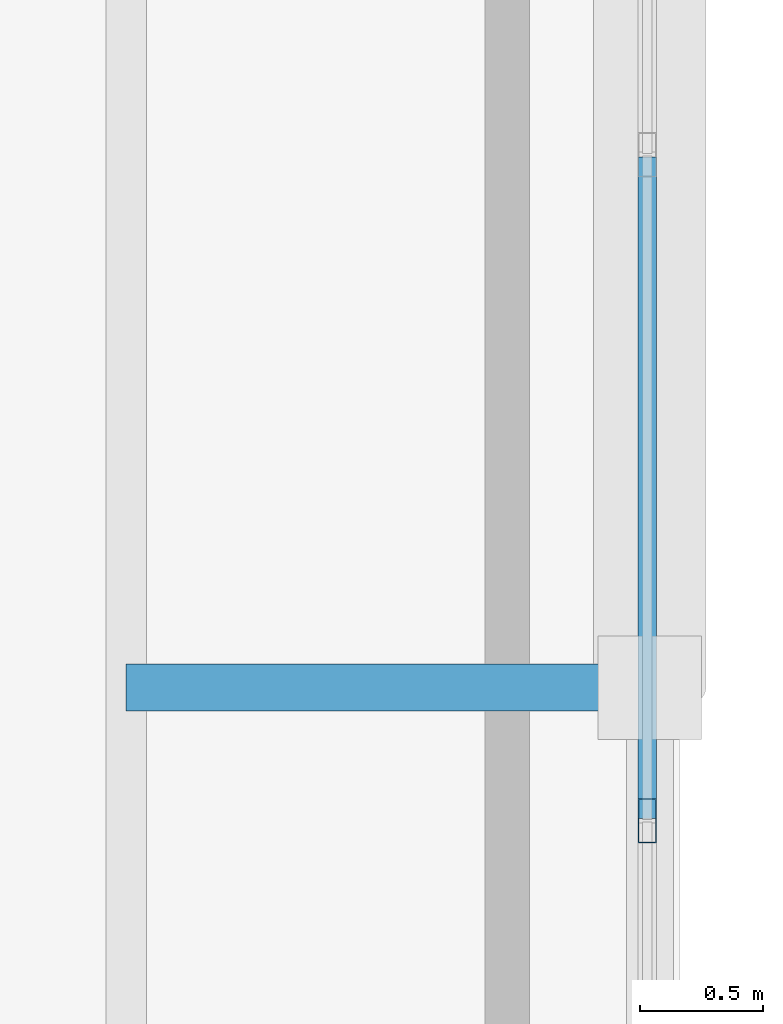
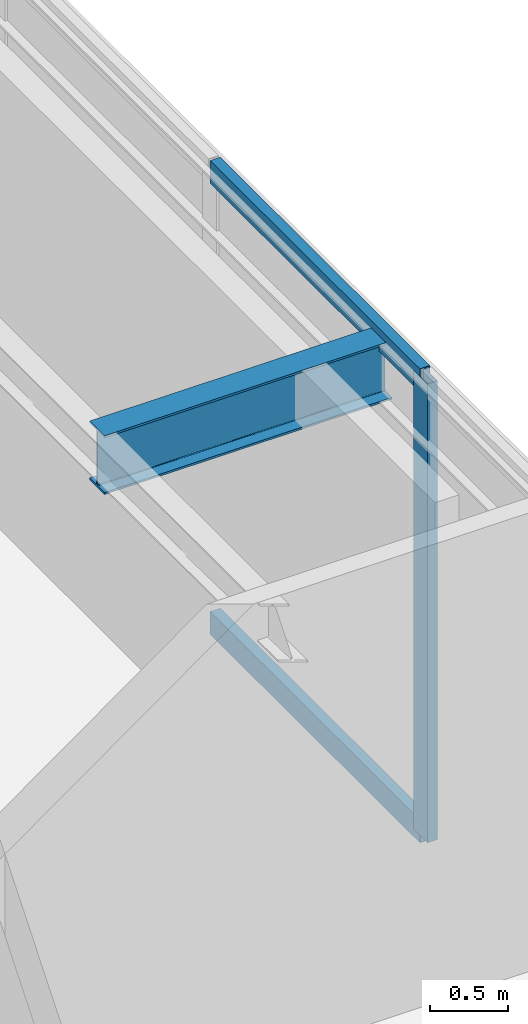
# One storey, part 6 of 19: 3 members, 1 beam, 1 element without a shape of its own.
"""IFC4 building model written with IfcOpenShell, lengths in metres."""

from ifc_helpers import new_model, si_unit, direction, frame, origin, origin_2d, place, context, subcontext, project, spatial, hollow_rectangle, i_section, extrude, material, material_profile, profile_set, type_object, element, aggregate, save


model = new_model("IFC4")

# Units and contexts
model_context = context("Model", 3, precision=1e-05, world=origin(), true_north=direction((0.0, 1.0)))
body_context = subcontext(model_context, "Body", "Model", "MODEL_VIEW")
ifc_project = project(units=[si_unit("LENGTHUNIT", "METRE"), si_unit("AREAUNIT", "SQUARE_METRE"), si_unit("VOLUMEUNIT", "CUBIC_METRE"), si_unit("PLANEANGLEUNIT", "RADIAN"), si_unit("MASSUNIT", "GRAM", prefix="KILO")], contexts=[model_context])

# Site, building, storey
site_placement = place(None, origin())
site = spatial("IfcSite", under=ifc_project, at=site_placement, CompositionType="ELEMENT")
building_placement = place(site_placement, origin())
building = spatial("IfcBuilding", under=site, at=building_placement, Name="Ventersveld Concourse Tower", CompositionType="ELEMENT")
storey_placement = place(building_placement, frame((0.0, 0.0, 345.199951171875)))
storey = spatial("IfcBuildingStorey", under=building, at=storey_placement, Name="L85", CompositionType="ELEMENT", Elevation=345.199951171875)

# Curtain wall, members
ifc_material_1 = material(Name="Anodised aluminium EN AW-6063-T6", Category="aluminium")
curtain_wall_type = type_object("IfcCurtainWallType", Name="CW-WP-5", PredefinedType="NOTDEFINED", material=ifc_material_1)
curtain_wall_placement = place(storey_placement, origin())
curtain_wall = element("IfcCurtainWall", 1, at=curtain_wall_placement, inside=storey, type_object=curtain_wall_type, Name="L85 L85 Wind Portal Aerodynamic Cheek Curtain Wall", PredefinedType="NOTDEFINED")
ifc_material_profile_1 = material_profile(ifc_material_1, hollow_rectangle(XDim=0.074951171875, YDim=0.179931640625, WallThickness=0.00390625, at=origin_2d()), Name="ALU 180x75x4")
ifc_profile_set_1 = profile_set([ifc_material_profile_1], Name="Anodised aluminium EN AW-6063-T6")
member_type_1 = type_object("IfcMemberType", Name="CWM-180x75", PredefinedType="MULLION", material=ifc_profile_set_1)
member_1_placement = place(storey_placement, frame((23.3701171875, 16.958740234375, 0.0), z_axis=(0.0, 0.0, 1.0), x_axis=(1.0, 0.0, 0.0)))
member_1 = element("IfcMember", 2, at=member_1_placement, type_object=member_type_1, Name="CW-L85-WP-W Mullion 02", PredefinedType="MULLION", context=body_context, shape_type="SweptSolid", body=[
    extrude(hollow_rectangle(XDim=0.074951171875, YDim=0.179931640625, WallThickness=0.00390625, at=origin_2d()), origin(), (0.0, 0.0, 1.0), 3.590087890625),
])
ifc_material_profile_2 = material_profile(ifc_material_1, hollow_rectangle(XDim=0.074951171875, YDim=0.179931640625, WallThickness=0.00390625, at=origin_2d()), Name="ALU 180x75x4")
ifc_profile_set_2 = profile_set([ifc_material_profile_2], Name="Anodised aluminium EN AW-6063-T6")
member_type_2 = type_object("IfcMemberType", Name="CWT-180x75", PredefinedType="USERDEFINED", material=ifc_profile_set_2)
member_2_placement = place(storey_placement, frame((23.3701171875, 16.96875, 0.030029296875), z_axis=(0.0, 1.0, 0.0), x_axis=(-1.0, 0.0, 0.0)))
member_2 = element("IfcMember", 3, at=member_2_placement, type_object=member_type_2, Name="CW-L85-WP-W Transom 1-02", ObjectType="TRANSOM", PredefinedType="USERDEFINED", context=body_context, shape_type="SweptSolid", body=[
    extrude(hollow_rectangle(XDim=0.074951171875, YDim=0.179931640625, WallThickness=0.00390625, at=origin_2d()), origin(), (0.0, 0.0, 1.0), 2.688720703125),
])
member_3_placement = place(storey_placement, frame((23.3701171875, 16.96875, 3.56005859375), z_axis=(0.0, 1.0, 0.0), x_axis=(-1.0, 0.0, 0.0)))
member_3 = element("IfcMember", 4, at=member_3_placement, type_object=member_type_2, Name="CW-L85-WP-W Transom 2-02", ObjectType="TRANSOM", PredefinedType="USERDEFINED", context=body_context, shape_type="SweptSolid", body=[
    extrude(hollow_rectangle(XDim=0.074951171875, YDim=0.179931640625, WallThickness=0.00390625, at=origin_2d()), origin(), (0.0, 0.0, 1.0), 2.688720703125),
])
aggregate(curtain_wall, [member_1, member_2, member_3])

# Beam
ifc_material_2 = material(Name="Structural steel S355J2", Category="steel")
ifc_material_profile_3 = material_profile(ifc_material_2, i_section(OverallWidth=0.19140625, OverallDepth=0.4599609375, WebThickness=0.010009765625, FlangeThickness=0.01611328125, FilletRadius=0.01025390625, at=origin_2d()), Name="UB 457x191x82")
ifc_profile_set_3 = profile_set([ifc_material_profile_3], Name="Structural steel S355J2")
beam_type = type_object("IfcBeamType", Name="SPD-UB457", PredefinedType="SPANDREL", material=ifc_profile_set_3)
beam_placement = place(storey_placement, frame((21.25, 17.5, 3.360107421875), z_axis=(1.0, 0.0, 0.0), x_axis=(0.0, 1.0, 0.0)))
element("IfcBeam", 5, at=beam_placement, inside=storey, type_object=beam_type, Name="L85 Wind Portal West Tie YM", PredefinedType="SPANDREL", context=body_context, shape_type="SweptSolid", body=[
    extrude(i_section(OverallWidth=0.19140625, OverallDepth=0.4599609375, WebThickness=0.010009765625, FlangeThickness=0.01611328125, FilletRadius=0.01025390625, at=origin_2d()), origin(), (0.0, 0.0, 1.0), 2.1298828125),
])

save(model, "model.ifc")
